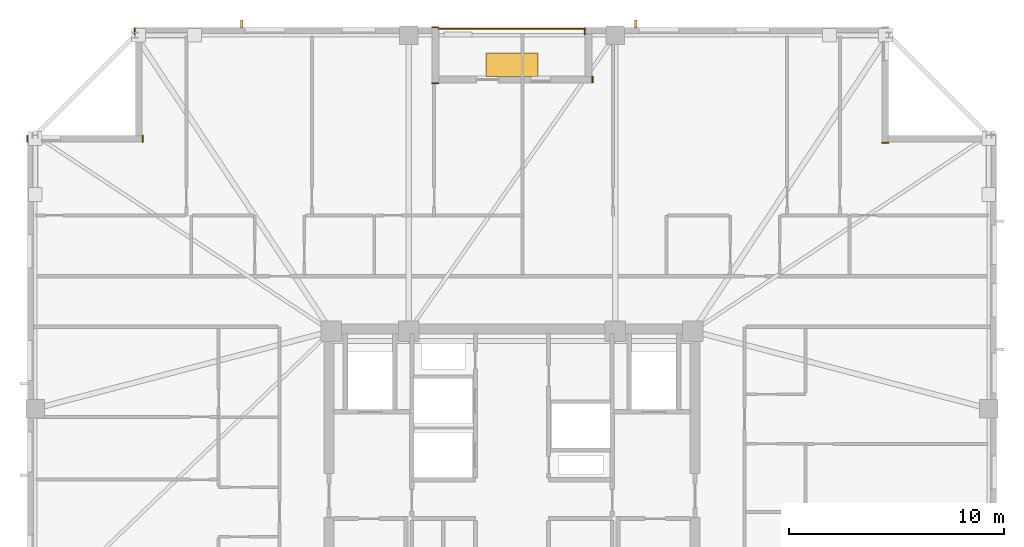
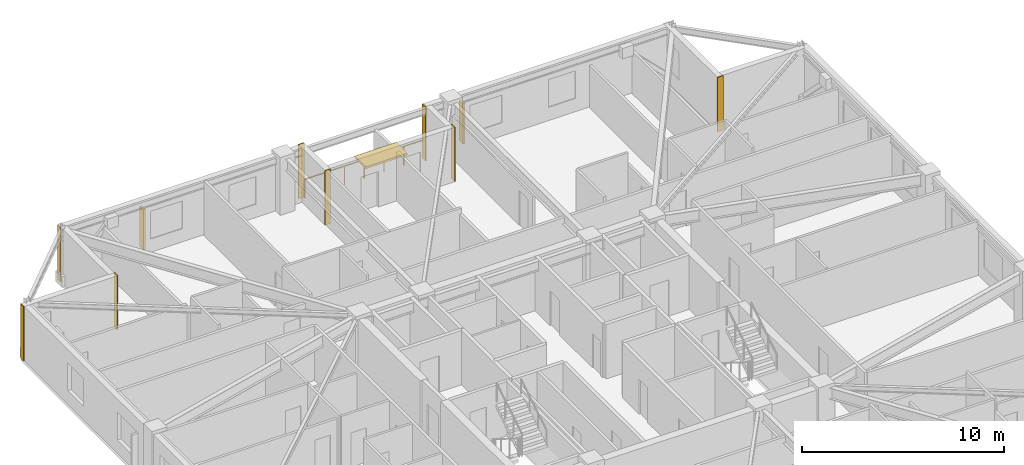
# One storey, part 16 of 17: 8 coverings, 3 shading devices, 1 railing.
"""IFC4 building model written with IfcOpenShell, lengths in metres."""

from ifc_helpers import new_model, si_unit, direction, frame, frame_2d, origin, origin_2d, place, context, subcontext, project, spatial, rectangle, circle, extrude, material, layer, layer_set, type_object, element, save


model = new_model("IFC4")

# Units and contexts
model_context = context("Model", 3, precision=1e-05, world=origin(), true_north=direction((0.0, 1.0)))
body_context = subcontext(model_context, "Body", "Model", "MODEL_VIEW")
ifc_project = project(units=[si_unit("LENGTHUNIT", "METRE"), si_unit("AREAUNIT", "SQUARE_METRE"), si_unit("VOLUMEUNIT", "CUBIC_METRE"), si_unit("PLANEANGLEUNIT", "RADIAN"), si_unit("MASSUNIT", "GRAM", prefix="KILO")], contexts=[model_context])

# Site, building, storey
site_placement = place(None, origin())
site = spatial("IfcSite", under=ifc_project, at=site_placement, CompositionType="ELEMENT")
building_placement = place(site_placement, origin())
building = spatial("IfcBuilding", under=site, at=building_placement, Name="Cairnveth Concourse Tower", CompositionType="ELEMENT")
storey_placement = place(building_placement, frame((0.0, 0.0, 209.5)))
storey = spatial("IfcBuildingStorey", under=building, at=storey_placement, Name="L57", CompositionType="ELEMENT", Elevation=209.5)

# Coverings
ifc_material_1 = material(Name="Dressed Melbourne Bluestone Cladding", Category="masonry")
ifc_layer = layer(ifc_material_1, 0.050048828125)
ifc_layer_set = layer_set([ifc_layer], Name="Dressed Melbourne Bluestone Cladding")
covering_type = type_object("IfcCoveringType", Name="DRESSED BLUESTONE PLINTH CLADDING 50", PredefinedType="CLADDING", material=ifc_layer_set)
for number, where, z_axis, x_axis, name in (
    (1, (55.3798828125, 61.179931640625, 0.0), (0.0, 0.0, 1.0), (0.0, 1.0, 0.0), "Melbourne Bluestone Corner Quoin L57-847"),
    (2, (69.179931640625, 56.159912109375, 0.0), (0.0, 0.0, 1.0), (1.0, 0.0, 0.0), "Melbourne Bluestone Corner Quoin L57-849"),
    (3, (29.47998046875, 56.179931640625, 0.0), (0.0, 0.0, 1.0), (0.0, 1.0, 0.0), "Melbourne Bluestone Corner Quoin L57-857"),
    (4, (34.840087890625, 56.179931640625, 0.0), (0.0, 0.0, 1.0), (0.0, 1.0, 0.0), "Melbourne Bluestone Corner Quoin L57-858"),
    (5, (34.47998046875, 61.179931640625, 0.0), (0.0, 0.0, 1.0), (0.0, 1.0, 0.0), "Melbourne Bluestone Corner Quoin L57-859"),
    (6, (48.280029296875, 61.52001953125, 0.0), (0.0, 0.0, 1.0), (1.0, 0.0, 0.0), "Melbourne Bluestone Corner Quoin L57-860"),
    (7, (48.280029296875, 58.909912109375, 0.0), (0.0, 0.0, 1.0), (1.0, 0.0, 0.0), "Melbourne Bluestone Corner Quoin L57-861"),
    (8, (55.739990234375, 58.929931640625, 0.0), (0.0, 0.0, 1.0), (0.0, 1.0, 0.0), "Melbourne Bluestone Corner Quoin L57-862"),
):
    element("IfcCovering", number, at=place(storey_placement, frame(where, z_axis=z_axis, x_axis=x_axis)), inside=storey, type_object=covering_type, Name=name, PredefinedType="CLADDING", context=body_context, shape_type="SweptSolid", body=[
        extrude(rectangle(XDim=0.320068359375, YDim=0.050048828125, at=frame_2d((0.16015625, 0.0))), origin(), (0.0, 0.0, 1.0), 3.2900390625),
    ])

# Shading devices
ifc_material_2 = material(Name="Architectural Bronze Anodised Aluminium 6063-T6", Category="aluminium")
shading_device_type_1 = type_object("IfcShadingDeviceType", Name="GOTHIC BRONZE VERTICAL LANCET FIN", PredefinedType="USERDEFINED", material=ifc_material_2)
for number, where, z_axis, x_axis, name in (
    (9, (57.740478515625, 61.675048828125, 0.030029296875), (0.0, 0.0, 1.0), (1.0, 0.0, 0.0), "Gothic Bronze Vertical Fin L57-0-1"),
    (10, (39.4404296875, 61.675048828125, 0.030029296875), (0.0, 0.0, 1.0), (1.0, 0.0, 0.0), "Gothic Bronze Vertical Fin L57-12-1"),
):
    element("IfcShadingDevice", number, at=place(storey_placement, frame(where, z_axis=z_axis, x_axis=x_axis)), inside=storey, type_object=shading_device_type_1, Name=name, ObjectType="VERTICAL FIN", PredefinedType="USERDEFINED", context=body_context, shape_type="SweptSolid", body=[
        extrude(rectangle(XDim=0.1201171875, YDim=0.360107421875, at=origin_2d()), origin(), (0.0, 0.0, 1.0), 2.43798828125),
    ])
shading_device_type_2 = type_object("IfcShadingDeviceType", Name="SPIRAL TERRACE SUNSHADE CANOPY", PredefinedType="USERDEFINED", material=ifc_material_2)
shading_device_placement = place(storey_placement, frame((52.0, 59.77001953125, 2.31787109375), z_axis=(0.0, 0.0, 1.0), x_axis=(1.0, 0.0, 0.0)))
element("IfcShadingDevice", 11, at=shading_device_placement, inside=storey, type_object=shading_device_type_2, Name="Spiral Terrace Sunshade L57", ObjectType="TERRACE SUNSHADE", PredefinedType="USERDEFINED", context=body_context, shape_type="SweptSolid", body=[
    extrude(rectangle(XDim=2.39990234375, YDim=1.10009765625, at=origin_2d()), origin(), (0.0, 0.0, 1.0), 0.1201171875),
])

# Railing
railing_type = type_object("IfcRailingType", Name="TERRACE BRONZE BALUSTRADE 1150", PredefinedType="BALUSTRADE", material=ifc_material_2)
railing_placement = place(storey_placement, frame((48.60009765625, 61.43994140625, 0.0)))
element("IfcRailing", 12, at=railing_placement, inside=storey, type_object=railing_type, Name="Terrace Balustrade RL-L57-TERR", PredefinedType="BALUSTRADE", context=body_context, shape_type="SweptSolid", body=[
    extrude(circle(Radius=0.02490234375, at=origin_2d()), frame((0.0, 0.0, 1.125), z_axis=(1.0, 0.0, 0.0), x_axis=(0.0, 1.0, 0.0)), (0.0, 0.0, 1.0), 6.7998046875),
    extrude(circle(Radius=0.02099609375, at=origin_2d()), origin(), (0.0, 0.0, 1.0), 1.099853515625),
    extrude(circle(Radius=0.02099609375, at=origin_2d()), frame((1.13330078125, 0.0, 0.0)), (0.0, 0.0, 1.0), 1.099853515625),
    extrude(circle(Radius=0.02099609375, at=origin_2d()), frame((2.2666015625, 0.0, 0.0)), (0.0, 0.0, 1.0), 1.099853515625),
    extrude(circle(Radius=0.02099609375, at=origin_2d()), frame((3.39990234375, 0.0, 0.0)), (0.0, 0.0, 1.0), 1.099853515625),
    extrude(circle(Radius=0.02099609375, at=origin_2d()), frame((4.533203125, 0.0, 0.0)), (0.0, 0.0, 1.0), 1.099853515625),
    extrude(circle(Radius=0.02099609375, at=origin_2d()), frame((5.66650390625, 0.0, 0.0)), (0.0, 0.0, 1.0), 1.099853515625),
    extrude(circle(Radius=0.02099609375, at=origin_2d()), frame((6.7998046875, 0.0, 0.0)), (0.0, 0.0, 1.0), 1.099853515625),
])

save(model, "model.ifc")
